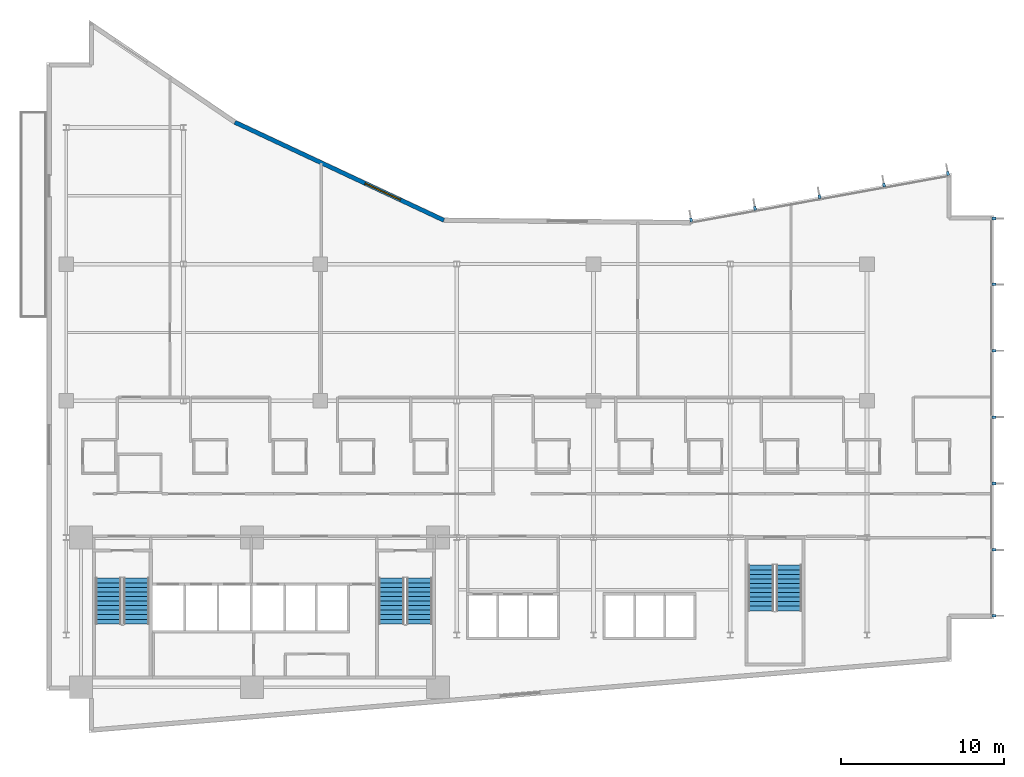
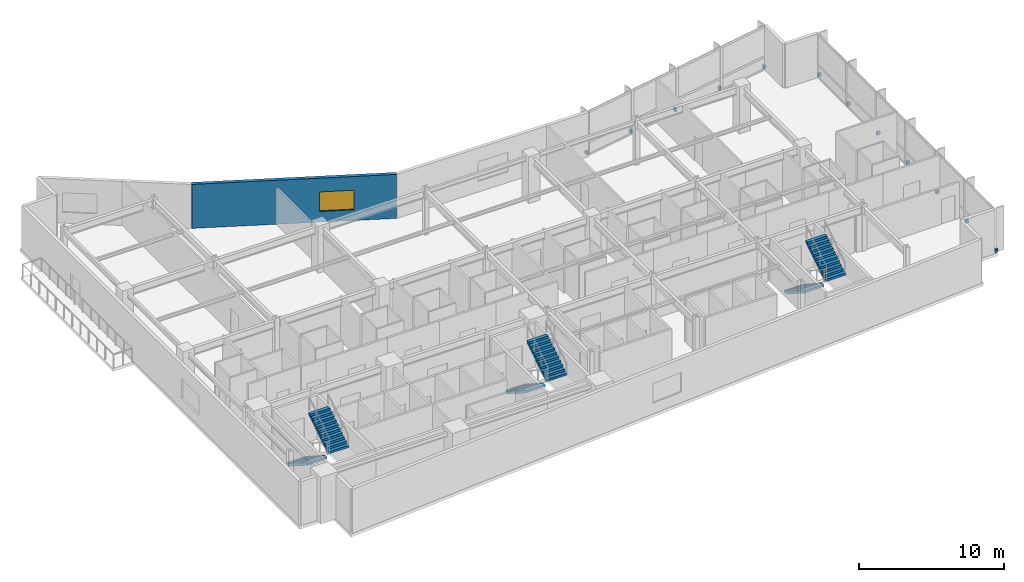
# One storey, part 16 of 21: 12 discrete accessories, 6 stair flights, 1 wall, 1 window, 1 opening, 3 elements without a shape of their own.
"""IFC4 building model written with IfcOpenShell, lengths in metres."""

from ifc_helpers import new_model, si_unit, direction, frame, frame_2d, origin, origin_2d, place, context, subcontext, project, spatial, polyline, rectangle, outline, extrude, material, layer, layer_set, type_object, element, fill, aggregate, save


model = new_model("IFC4")

# Units and contexts
model_context = context("Model", 3, precision=1e-05, world=origin(), true_north=direction((0.0, 1.0)))
body_context = subcontext(model_context, "Body", "Model", "MODEL_VIEW")
ifc_project = project(units=[si_unit("LENGTHUNIT", "METRE"), si_unit("AREAUNIT", "SQUARE_METRE"), si_unit("VOLUMEUNIT", "CUBIC_METRE"), si_unit("PLANEANGLEUNIT", "RADIAN"), si_unit("MASSUNIT", "GRAM", prefix="KILO")], contexts=[model_context])

# Site, building, storey
site_placement = place(None, origin())
site = spatial("IfcSite", under=ifc_project, at=site_placement, CompositionType="ELEMENT")
building_placement = place(site_placement, origin())
building = spatial("IfcBuilding", under=site, at=building_placement, Name="Varnakote Quay Hospital", CompositionType="ELEMENT")
storey_placement = place(building_placement, frame((0.0, 0.0, 38.300048828125)))
storey = spatial("IfcBuildingStorey", under=building, at=storey_placement, Name="L09", CompositionType="ELEMENT", Elevation=38.300048828125)

# Wall, opening, window
ifc_material_1 = material(Name="Precast concrete N50 (f'c 50 MPa)", Category="concrete")
ifc_layer_1 = layer(ifc_material_1, 0.260009765625)
ifc_layer_set_1 = layer_set([ifc_layer_1], Name="Precast concrete N50 (f'c 50 MPa)")
wall_type = type_object("IfcWallType", Name="WL-EXT-BRICK-260", PredefinedType="STANDARD", material=ifc_layer_set_1)
wall_placement = place(storey_placement, frame((24.40771484375, 31.4921875, 0.0), z_axis=(0.0, 0.0, 1.0), x_axis=(-0.905396522918, 0.424566998585, 0.0)))
wall = element("IfcWall", 1, at=wall_placement, inside=storey, type_object=wall_type, Name="L09 Brick-Faced Precast Exterior Wall", PredefinedType="STANDARD", context=body_context, shape_type="SweptSolid", body=[
    extrude(rectangle(XDim=14.189453125, YDim=0.260009765625, at=frame_2d((7.0947265625, 0.0))), origin(), (0.0, 0.0, 1.0), 3.7099609375),
])
opening_placement = place(wall_placement, frame((2.95263671875, 0.0, 0.89990234375)))
opening = element("IfcOpeningElement", 2, at=opening_placement, cuts=wall, Name="Opening WN-0052", PredefinedType="OPENING", context=body_context, shape_type="SweptSolid", body=[
    extrude(rectangle(XDim=2.39990234375, YDim=1.64990234375, at=frame_2d((1.199951171875, 0.824951171875))), frame((0.0, 0.139892578125, 0.0), z_axis=(0.0, -1.0, 0.0), x_axis=(1.0, 0.0, 0.0)), (0.0, 0.0, 1.0), 0.280029296875),
])
ifc_material_2 = material(Name="Double-glazed low-E solar glass", Category="glass")
window_type = type_object("IfcWindowType", Name="WIN-CLIN-2400x1650", PartitioningType="SINGLE_PANEL", PredefinedType="WINDOW", material=ifc_material_2)
window_placement = place(opening_placement, origin())
window = element("IfcWindow", 3, at=window_placement, inside=storey, type_object=window_type, Name="L09 Solar-Control Clinical Window", OverallHeight=1.64990234375, OverallWidth=2.39990234375, PartitioningType="SINGLE_PANEL", PredefinedType="WINDOW", context=body_context, shape_type="SweptSolid", body=[
    extrude(rectangle(XDim=2.39990234375, YDim=1.64990234375, at=frame_2d((1.199951171875, 0.824951171875))), frame((0.0, 0.030029296875, 0.0), z_axis=(0.0, -1.0, 0.0), x_axis=(1.0, 0.0, 0.0)), (0.0, 0.0, 1.0), 0.06005859375),
])
fill(opening, window)

# Stair, stair flights
ifc_material_3 = material(Name="Concrete N40 (f'c 40 MPa)", Category="concrete")
stair_type = type_object("IfcStairType", Name="STR-CORE-1580", PredefinedType="HALF_TURN_STAIR", material=ifc_material_3)
stair_1_placement = place(storey_placement, origin())
stair_1 = element("IfcStair", 4, at=stair_1_placement, inside=storey, type_object=stair_type, Name="L09 Fire-Isolated Exit Stair ST-01", PredefinedType="HALF_TURN_STAIR")
ifc_material_4 = material(Name="Concrete N40 (f'c 40 MPa)", Category="concrete")
ifc_layer_2 = layer(ifc_material_4, 0.159912109375)
ifc_layer_set_2 = layer_set([ifc_layer_2], Name="Concrete N40 (f'c 40 MPa)")
stair_flight_type = type_object("IfcStairFlightType", Name="FLT-CORE-1580", PredefinedType="STRAIGHT", material=ifc_layer_set_2)
stair_flight_1_placement = place(storey_placement, frame((3.7900390625, 9.5, 0.0), z_axis=(0.0, 0.0, 1.0), x_axis=(0.0, -1.0, 0.0)))
stair_flight_1 = element("IfcStairFlight", 5, at=stair_flight_1_placement, type_object=stair_flight_type, Name="ST-01 flight 1", NumberOfRisers=11, NumberOfTreads=10, PredefinedType="STRAIGHT", RiserHeight=0.179545455, TreadLength=0.28, context=body_context, shape_type="SweptSolid", body=[
    extrude(outline(polyline([(0.0, 0.0), (0.0, 0.179443359375), (0.280029296875, 0.179443359375), (0.280029296875, 0.359130859375), (0.56005859375, 0.359130859375), (0.56005859375, 0.53857421875), (0.840087890625, 0.53857421875), (0.840087890625, 0.71826171875), (1.1201171875, 0.71826171875), (1.1201171875, 0.897705078125), (1.39990234375, 0.897705078125), (1.39990234375, 1.077392578125), (1.679931640625, 1.077392578125), (1.679931640625, 1.2568359375), (1.9599609375, 1.2568359375), (1.9599609375, 1.436279296875), (2.239990234375, 1.436279296875), (2.239990234375, 1.615966796875), (2.52001953125, 1.615966796875), (2.52001953125, 1.79541015625), (2.800048828125, 1.79541015625), (2.800048828125, 1.97509765625), (2.800048828125, 1.60546875), (0.296142578125, 0.0), (0.0, 0.0)])), frame((0.0, 0.7900390625, 0.0), z_axis=(0.0, -1.0, 0.0), x_axis=(1.0, 0.0, 0.0)), (0.0, 0.0, 1.0), 1.580078125),
])
stair_flight_2_placement = place(storey_placement, frame((5.510009765625, 6.699951171875, 1.974853515625), z_axis=(0.0, 0.0, 1.0), x_axis=(0.0, 1.0, 0.0)))
stair_flight_2 = element("IfcStairFlight", 6, at=stair_flight_2_placement, type_object=stair_flight_type, Name="ST-01 flight 2", NumberOfRisers=11, NumberOfTreads=10, PredefinedType="STRAIGHT", RiserHeight=0.179545455, TreadLength=0.28, context=body_context, shape_type="SweptSolid", body=[
    extrude(outline(polyline([(0.0, 0.0), (0.0, 0.179443359375), (0.280029296875, 0.179443359375), (0.280029296875, 0.359130859375), (0.56005859375, 0.359130859375), (0.56005859375, 0.53857421875), (0.840087890625, 0.53857421875), (0.840087890625, 0.71826171875), (1.1201171875, 0.71826171875), (1.1201171875, 0.897705078125), (1.39990234375, 0.897705078125), (1.39990234375, 1.077392578125), (1.679931640625, 1.077392578125), (1.679931640625, 1.2568359375), (1.9599609375, 1.2568359375), (1.9599609375, 1.436279296875), (2.239990234375, 1.436279296875), (2.239990234375, 1.615966796875), (2.52001953125, 1.615966796875), (2.52001953125, 1.79541015625), (2.800048828125, 1.79541015625), (2.800048828125, 1.97509765625), (2.800048828125, 1.60546875), (0.296142578125, 0.0), (0.0, 0.0)])), frame((0.0, 0.7900390625, 0.0), z_axis=(0.0, -1.0, 0.0), x_axis=(1.0, 0.0, 0.0)), (0.0, 0.0, 1.0), 1.580078125),
])
aggregate(stair_1, [stair_flight_1, stair_flight_2])

stair_2_placement = place(storey_placement, origin())
stair_2 = element("IfcStair", 7, at=stair_2_placement, inside=storey, type_object=stair_type, Name="L09 Fire-Isolated Exit Stair ST-02", PredefinedType="HALF_TURN_STAIR")
stair_flight_3_placement = place(storey_placement, frame((21.18994140625, 9.5, 0.0), z_axis=(0.0, 0.0, 1.0), x_axis=(0.0, -1.0, 0.0)))
stair_flight_3 = element("IfcStairFlight", 8, at=stair_flight_3_placement, type_object=stair_flight_type, Name="ST-02 flight 1", NumberOfRisers=11, NumberOfTreads=10, PredefinedType="STRAIGHT", RiserHeight=0.179545455, TreadLength=0.28, context=body_context, shape_type="SweptSolid", body=[
    extrude(outline(polyline([(0.0, 0.0), (0.0, 0.179443359375), (0.280029296875, 0.179443359375), (0.280029296875, 0.359130859375), (0.56005859375, 0.359130859375), (0.56005859375, 0.53857421875), (0.840087890625, 0.53857421875), (0.840087890625, 0.71826171875), (1.1201171875, 0.71826171875), (1.1201171875, 0.897705078125), (1.39990234375, 0.897705078125), (1.39990234375, 1.077392578125), (1.679931640625, 1.077392578125), (1.679931640625, 1.2568359375), (1.9599609375, 1.2568359375), (1.9599609375, 1.436279296875), (2.239990234375, 1.436279296875), (2.239990234375, 1.615966796875), (2.52001953125, 1.615966796875), (2.52001953125, 1.79541015625), (2.800048828125, 1.79541015625), (2.800048828125, 1.97509765625), (2.800048828125, 1.60546875), (0.296142578125, 0.0), (0.0, 0.0)])), frame((0.0, 0.7900390625, 0.0), z_axis=(0.0, -1.0, 0.0), x_axis=(1.0, 0.0, 0.0)), (0.0, 0.0, 1.0), 1.580078125),
])
stair_flight_4_placement = place(storey_placement, frame((22.909912109375, 6.699951171875, 1.974853515625), z_axis=(0.0, 0.0, 1.0), x_axis=(0.0, 1.0, 0.0)))
stair_flight_4 = element("IfcStairFlight", 9, at=stair_flight_4_placement, type_object=stair_flight_type, Name="ST-02 flight 2", NumberOfRisers=11, NumberOfTreads=10, PredefinedType="STRAIGHT", RiserHeight=0.179545455, TreadLength=0.28, context=body_context, shape_type="SweptSolid", body=[
    extrude(outline(polyline([(0.0, 0.0), (0.0, 0.179443359375), (0.280029296875, 0.179443359375), (0.280029296875, 0.359130859375), (0.56005859375, 0.359130859375), (0.56005859375, 0.53857421875), (0.840087890625, 0.53857421875), (0.840087890625, 0.71826171875), (1.1201171875, 0.71826171875), (1.1201171875, 0.897705078125), (1.39990234375, 0.897705078125), (1.39990234375, 1.077392578125), (1.679931640625, 1.077392578125), (1.679931640625, 1.2568359375), (1.9599609375, 1.2568359375), (1.9599609375, 1.436279296875), (2.239990234375, 1.436279296875), (2.239990234375, 1.615966796875), (2.52001953125, 1.615966796875), (2.52001953125, 1.79541015625), (2.800048828125, 1.79541015625), (2.800048828125, 1.97509765625), (2.800048828125, 1.60546875), (0.296142578125, 0.0), (0.0, 0.0)])), frame((0.0, 0.7900390625, 0.0), z_axis=(0.0, -1.0, 0.0), x_axis=(1.0, 0.0, 0.0)), (0.0, 0.0, 1.0), 1.580078125),
])
aggregate(stair_2, [stair_flight_3, stair_flight_4])

stair_3_placement = place(storey_placement, origin())
stair_3 = element("IfcStair", 10, at=stair_3_placement, inside=storey, type_object=stair_type, Name="L09 Fire-Isolated Exit Stair ST-03", PredefinedType="HALF_TURN_STAIR")
stair_flight_5_placement = place(storey_placement, frame((43.889892578125, 10.300048828125, 0.0), z_axis=(0.0, 0.0, 1.0), x_axis=(0.0, -1.0, 0.0)))
stair_flight_5 = element("IfcStairFlight", 11, at=stair_flight_5_placement, type_object=stair_flight_type, Name="ST-03 flight 1", NumberOfRisers=11, NumberOfTreads=10, PredefinedType="STRAIGHT", RiserHeight=0.179545455, TreadLength=0.28, context=body_context, shape_type="SweptSolid", body=[
    extrude(outline(polyline([(0.0, 0.0), (0.0, 0.179443359375), (0.280029296875, 0.179443359375), (0.280029296875, 0.359130859375), (0.56005859375, 0.359130859375), (0.56005859375, 0.53857421875), (0.840087890625, 0.53857421875), (0.840087890625, 0.71826171875), (1.1201171875, 0.71826171875), (1.1201171875, 0.897705078125), (1.39990234375, 0.897705078125), (1.39990234375, 1.077392578125), (1.679931640625, 1.077392578125), (1.679931640625, 1.2568359375), (1.9599609375, 1.2568359375), (1.9599609375, 1.436279296875), (2.239990234375, 1.436279296875), (2.239990234375, 1.615966796875), (2.52001953125, 1.615966796875), (2.52001953125, 1.79541015625), (2.800048828125, 1.79541015625), (2.800048828125, 1.97509765625), (2.800048828125, 1.60546875), (0.296142578125, 0.0), (0.0, 0.0)])), frame((0.0, 0.7900390625, 0.0), z_axis=(0.0, -1.0, 0.0), x_axis=(1.0, 0.0, 0.0)), (0.0, 0.0, 1.0), 1.580078125),
])
stair_flight_6_placement = place(storey_placement, frame((45.610107421875, 7.5, 1.974853515625), z_axis=(0.0, 0.0, 1.0), x_axis=(0.0, 1.0, 0.0)))
stair_flight_6 = element("IfcStairFlight", 12, at=stair_flight_6_placement, type_object=stair_flight_type, Name="ST-03 flight 2", NumberOfRisers=11, NumberOfTreads=10, PredefinedType="STRAIGHT", RiserHeight=0.179545455, TreadLength=0.28, context=body_context, shape_type="SweptSolid", body=[
    extrude(outline(polyline([(0.0, 0.0), (0.0, 0.179443359375), (0.280029296875, 0.179443359375), (0.280029296875, 0.359130859375), (0.56005859375, 0.359130859375), (0.56005859375, 0.53857421875), (0.840087890625, 0.53857421875), (0.840087890625, 0.71826171875), (1.1201171875, 0.71826171875), (1.1201171875, 0.897705078125), (1.39990234375, 0.897705078125), (1.39990234375, 1.077392578125), (1.679931640625, 1.077392578125), (1.679931640625, 1.2568359375), (1.9599609375, 1.2568359375), (1.9599609375, 1.436279296875), (2.239990234375, 1.436279296875), (2.239990234375, 1.615966796875), (2.52001953125, 1.615966796875), (2.52001953125, 1.79541015625), (2.800048828125, 1.79541015625), (2.800048828125, 1.97509765625), (2.800048828125, 1.60546875), (0.296142578125, 0.0), (0.0, 0.0)])), frame((0.0, 0.7900390625, 0.0), z_axis=(0.0, -1.0, 0.0), x_axis=(1.0, 0.0, 0.0)), (0.0, 0.0, 1.0), 1.580078125),
])
aggregate(stair_3, [stair_flight_5, stair_flight_6])

# Discrete accessories
ifc_material_5 = material(Name="Anodised aluminium 6063-T6 Bronze", Category="aluminium")
discrete_accessory_type = type_object("IfcDiscreteAccessoryType", Name="ACC-FIN-BRACKET-180", PredefinedType="BRACKET", material=ifc_material_5)
for number, where, z_axis, x_axis, name in (
    (13, (58.2099609375, 7.197509765625, 0.0), (0.0, 0.0, 1.0), (0.0, 1.0, 0.0), "L09 Curtain Wall Fin Fixing Bracket"),
    (14, (58.2099609375, 11.239990234375, 0.0), (0.0, 0.0, 1.0), (0.0, 1.0, 0.0), "L09 Curtain Wall Fin Fixing Bracket"),
    (15, (58.2099609375, 15.320068359375, 0.0), (0.0, 0.0, 1.0), (0.0, 1.0, 0.0), "L09 Curtain Wall Fin Fixing Bracket"),
    (16, (58.2099609375, 19.39990234375, 0.0), (0.0, 0.0, 1.0), (0.0, 1.0, 0.0), "L09 Curtain Wall Fin Fixing Bracket"),
    (17, (58.2099609375, 23.47998046875, 0.0), (0.0, 0.0, 1.0), (0.0, 1.0, 0.0), "L09 Curtain Wall Fin Fixing Bracket"),
    (18, (58.2099609375, 27.56005859375, 0.0), (0.0, 0.0, 1.0), (0.0, 1.0, 0.0), "L09 Curtain Wall Fin Fixing Bracket"),
    (19, (58.2099609375, 31.6025390625, 0.0), (0.0, 0.0, 1.0), (0.0, 1.0, 0.0), "L09 Curtain Wall Fin Fixing Bracket"),
    (20, (55.372802734375, 34.369140625, 0.0), (0.0, 0.0, 1.0), (-0.984071739666, -0.177771795263, 0.0), "L09 Curtain Wall Fin Fixing Bracket"),
    (21, (51.447265625, 33.65966796875, 0.0), (0.0, 0.0, 1.0), (-0.984071739666, -0.177771795263, 0.0), "L09 Curtain Wall Fin Fixing Bracket"),
    (22, (47.484619140625, 32.943603515625, 0.0), (0.0, 0.0, 1.0), (-0.984071739666, -0.177771795263, 0.0), "L09 Curtain Wall Fin Fixing Bracket"),
    (23, (43.52197265625, 32.227294921875, 0.0), (0.0, 0.0, 1.0), (-0.984071739666, -0.177771795263, 0.0), "L09 Curtain Wall Fin Fixing Bracket"),
    (24, (39.59619140625, 31.517822265625, 0.0), (0.0, 0.0, 1.0), (-0.984071739666, -0.177771795263, 0.0), "L09 Curtain Wall Fin Fixing Bracket"),
):
    element("IfcDiscreteAccessory", number, at=place(storey_placement, frame(where, z_axis=z_axis, x_axis=x_axis)), inside=storey, type_object=discrete_accessory_type, Name=name, PredefinedType="BRACKET", context=body_context, shape_type="SweptSolid", body=[
        extrude(rectangle(XDim=0.159912109375, YDim=0.239990234375, at=origin_2d()), origin(), (0.0, 0.0, 1.0), 0.280029296875),
    ])

save(model, "model.ifc")
